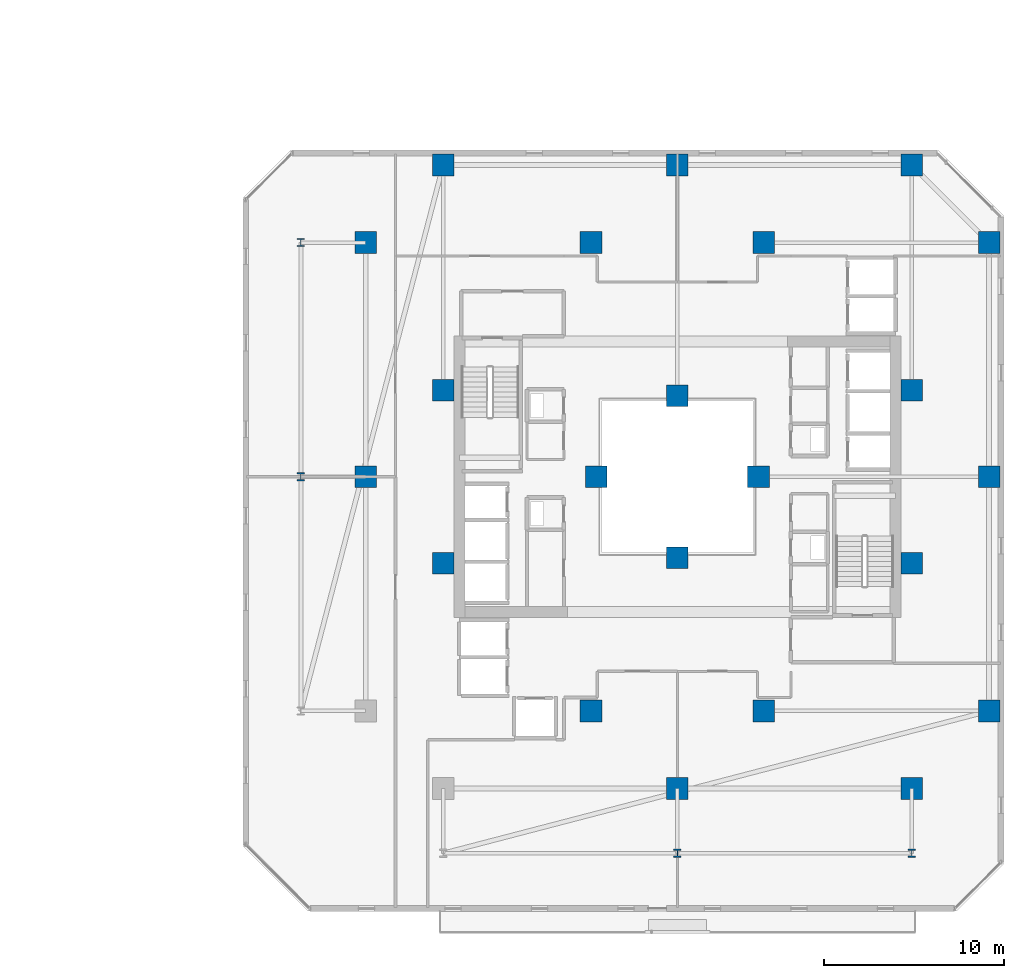
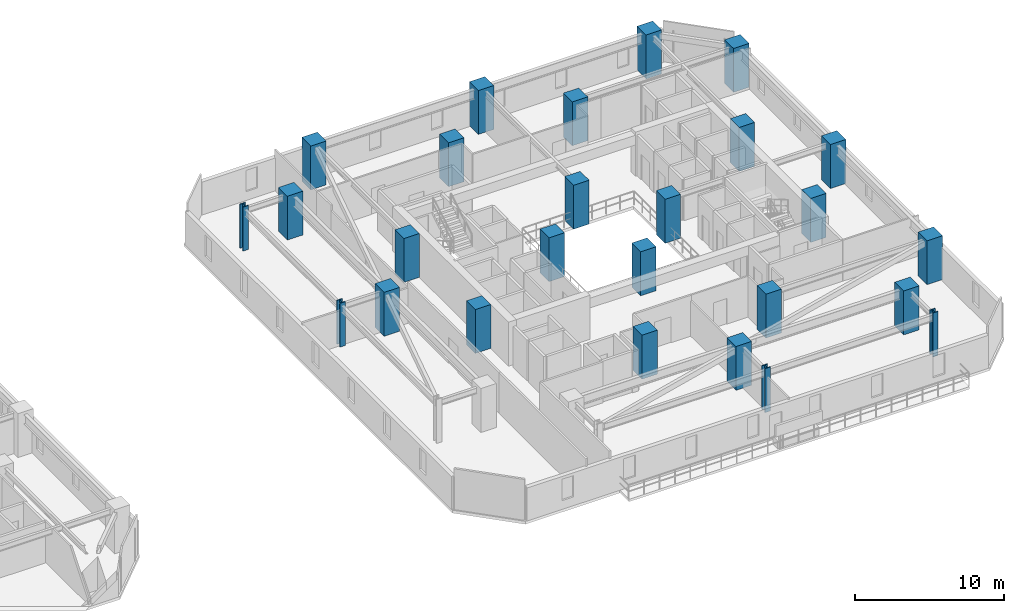
# One storey, part 2 of 33: 26 columns.
"""IFC4 building model written with IfcOpenShell, lengths in metres."""

from ifc_helpers import new_model, si_unit, direction, frame, origin, origin_2d, place, context, subcontext, project, spatial, rectangle, i_section, extrude, material, material_profile, profile_set, type_object, element, save


model = new_model("IFC4")

# Units and contexts
model_context = context("Model", 3, precision=1e-05, world=origin(), true_north=direction((0.0, 1.0)))
body_context = subcontext(model_context, "Body", "Model", "MODEL_VIEW")
ifc_project = project(units=[si_unit("LENGTHUNIT", "METRE"), si_unit("AREAUNIT", "SQUARE_METRE"), si_unit("VOLUMEUNIT", "CUBIC_METRE"), si_unit("PLANEANGLEUNIT", "RADIAN"), si_unit("MASSUNIT", "GRAM", prefix="KILO")], contexts=[model_context])

# Site, building, storey
site_placement = place(None, origin())
site = spatial("IfcSite", under=ifc_project, at=site_placement, CompositionType="ELEMENT")
building_placement = place(site_placement, origin())
building = spatial("IfcBuilding", under=site, at=building_placement, Name="Thornwick Lancets Civic Towers", CompositionType="ELEMENT")
storey_placement = place(building_placement, frame((0.0, 0.0, 105.300048828125)))
storey = spatial("IfcBuildingStorey", under=building, at=storey_placement, Name="L27", CompositionType="ELEMENT", Elevation=105.300048828125)

# Columns
ifc_material_1 = material(Name="Concrete C60/75", Category="concrete")
ifc_material_profile_1 = material_profile(ifc_material_1, rectangle(XDim=1.199951171875, YDim=1.199951171875, at=origin_2d()), Name="RC 1200x1200")
ifc_profile_set_1 = profile_set([ifc_material_profile_1], Name="Concrete C60/75")
column_type_1 = type_object("IfcColumnType", Name="COL_RC_1200", PredefinedType="COLUMN", material=ifc_profile_set_1)
for number, where, z_axis, x_axis, name in (
    (1, (105.800048828125, 14.0, 0.0), (0.0, 0.0, 1.0), (1.0, 0.0, 0.0), "L27 Spine Mega-Column B01"),
    (2, (105.800048828125, 27.0, 0.0), (0.0, 0.0, 1.0), (1.0, 0.0, 0.0), "L27 Spine Mega-Column B02"),
    (3, (105.800048828125, 40.0, 0.0), (0.0, 0.0, 1.0), (1.0, 0.0, 0.0), "L27 Spine Mega-Column B03"),
    (4, (101.5, 44.300048828125, 0.0), (0.0, 0.0, 1.0), (1.0, 0.0, 0.0), "L27 Spine Mega-Column B04"),
    (5, (88.5, 44.300048828125, 0.0), (0.0, 0.0, 1.0), (1.0, 0.0, 0.0), "L27 Spine Mega-Column B05"),
    (6, (75.5, 44.300048828125, 0.0), (0.0, 0.0, 1.0), (1.0, 0.0, 0.0), "L27 Spine Mega-Column B06"),
    (7, (71.199951171875, 27.0, 0.0), (0.0, 0.0, 1.0), (1.0, 0.0, 0.0), "L27 Spine Mega-Column B08"),
    (8, (71.199951171875, 40.0, 0.0), (0.0, 0.0, 1.0), (1.0, 0.0, 0.0), "L27 Spine Mega-Column B09"),
    (9, (101.5, 9.699951171875, 0.0), (0.0, 0.0, 1.0), (1.0, 0.0, 0.0), "L27 Spine Mega-Column B10"),
    (10, (88.5, 9.699951171875, 0.0), (0.0, 0.0, 1.0), (1.0, 0.0, 0.0), "L27 Spine Mega-Column B11"),
    (11, (93.300048828125, 14.0, 0.0), (0.0, 0.0, 1.0), (1.0, 0.0, 0.0), "L27 Spine Mega-Column B13"),
    (12, (93.300048828125, 40.0, 0.0), (0.0, 0.0, 1.0), (1.0, 0.0, 0.0), "L27 Spine Mega-Column B14"),
    (13, (83.699951171875, 14.0, 0.0), (0.0, 0.0, 1.0), (1.0, 0.0, 0.0), "L27 Spine Mega-Column B15"),
    (14, (83.699951171875, 40.0, 0.0), (0.0, 0.0, 1.0), (1.0, 0.0, 0.0), "L27 Spine Mega-Column B16"),
    (15, (101.5, 22.199951171875, 0.0), (0.0, 0.0, 1.0), (1.0, 0.0, 0.0), "L27 Spine Mega-Column B17"),
    (16, (101.5, 31.800048828125, 0.0), (0.0, 0.0, 1.0), (1.0, 0.0, 0.0), "L27 Spine Mega-Column B18"),
    (17, (75.5, 22.199951171875, 0.0), (0.0, 0.0, 1.0), (1.0, 0.0, 0.0), "L27 Spine Mega-Column B19"),
    (18, (75.5, 31.800048828125, 0.0), (0.0, 0.0, 1.0), (1.0, 0.0, 0.0), "L27 Spine Mega-Column B20"),
    (19, (93.0, 27.0, 0.0), (0.0, 0.0, 1.0), (1.0, 0.0, 0.0), "L27 Spine Mega-Column B21"),
    (20, (84.0, 27.0, 0.0), (0.0, 0.0, 1.0), (1.0, 0.0, 0.0), "L27 Spine Mega-Column B22"),
    (21, (88.5, 22.5, 0.0), (0.0, 0.0, 1.0), (1.0, 0.0, 0.0), "L27 Spine Mega-Column B23"),
    (22, (88.5, 31.5, 0.0), (0.0, 0.0, 1.0), (1.0, 0.0, 0.0), "L27 Spine Mega-Column B24"),
):
    element("IfcColumn", number, at=place(storey_placement, frame(where, z_axis=z_axis, x_axis=x_axis)), inside=storey, type_object=column_type_1, Name=name, PredefinedType="COLUMN", context=body_context, shape_type="SweptSolid", body=[
        extrude(rectangle(XDim=1.199951171875, YDim=1.199951171875, at=origin_2d()), origin(), (0.0, 0.0, 1.0), 3.599853515625),
    ])
ifc_material_2 = material(Name="Steel S460M", Category="steel")
ifc_material_profile_2 = material_profile(ifc_material_2, i_section(OverallWidth=0.41845703125, OverallDepth=0.45556640625, WebThickness=0.0419921875, FlangeThickness=0.0673828125, FilletRadius=0.01513671875, at=origin_2d()), Name="UKC 356x406x551")
ifc_profile_set_2 = profile_set([ifc_material_profile_2], Name="Steel S460M")
column_type_2 = type_object("IfcColumnType", Name="COL_UKC_551", PredefinedType="COLUMN", material=ifc_profile_set_2)
for number, where, z_axis, x_axis, name in (
    (23, (67.60009765625, 27.0, 0.0), (0.0, 0.0, 1.0), (1.0, 0.0, 0.0), "L27 Block Perimeter Column B08"),
    (24, (67.60009765625, 40.0, 0.0), (0.0, 0.0, 1.0), (1.0, 0.0, 0.0), "L27 Block Perimeter Column B09"),
    (25, (101.5, 6.10009765625, 0.0), (0.0, 0.0, 1.0), (1.0, 0.0, 0.0), "L27 Block Perimeter Column B10"),
    (26, (88.5, 6.10009765625, 0.0), (0.0, 0.0, 1.0), (1.0, 0.0, 0.0), "L27 Block Perimeter Column B11"),
):
    element("IfcColumn", number, at=place(storey_placement, frame(where, z_axis=z_axis, x_axis=x_axis)), inside=storey, type_object=column_type_2, Name=name, PredefinedType="COLUMN", context=body_context, shape_type="SweptSolid", body=[
        extrude(i_section(OverallWidth=0.41845703125, OverallDepth=0.45556640625, WebThickness=0.0419921875, FlangeThickness=0.0673828125, FilletRadius=0.01513671875, at=origin_2d()), origin(), (0.0, 0.0, 1.0), 3.599853515625),
    ])

save(model, "model.ifc")
